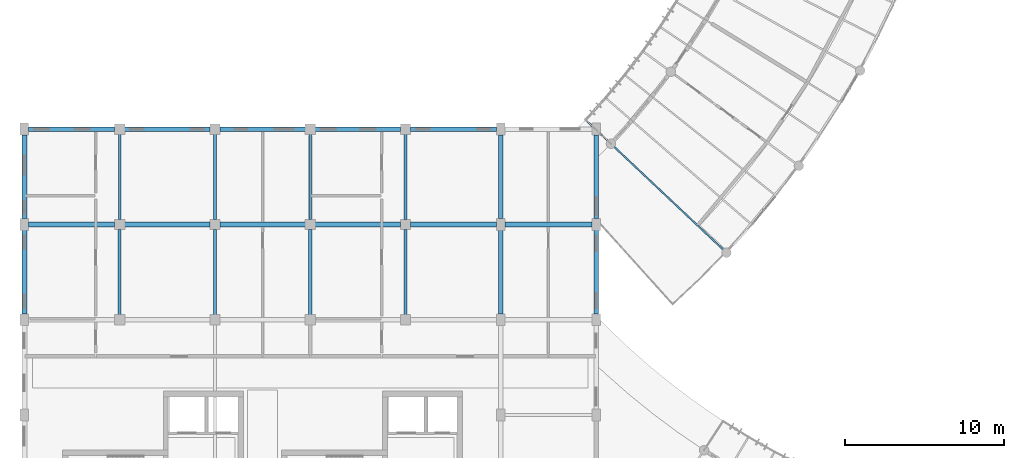
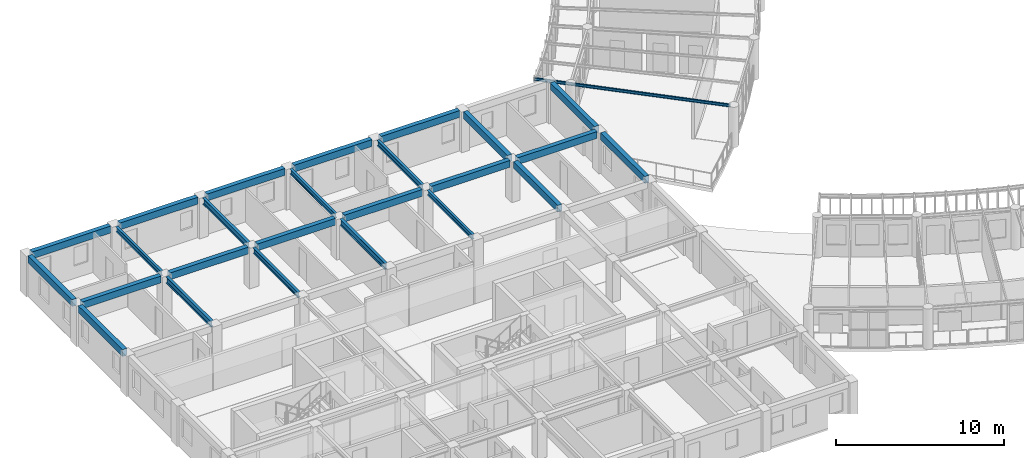
# One storey, part 10 of 100: 26 beams.
"""IFC4 building model written with IfcOpenShell, lengths in metres."""

from ifc_helpers import new_model, si_unit, direction, frame, origin, origin_2d, place, context, subcontext, project, spatial, rectangle, i_section, extrude, material, material_profile, profile_set, type_object, element, save


model = new_model("IFC4")

# Units and contexts
model_context = context("Model", 3, precision=1e-05, world=origin(), true_north=direction((0.0, 1.0)))
body_context = subcontext(model_context, "Body", "Model", "MODEL_VIEW")
ifc_project = project(units=[si_unit("LENGTHUNIT", "METRE"), si_unit("AREAUNIT", "SQUARE_METRE"), si_unit("VOLUMEUNIT", "CUBIC_METRE"), si_unit("PLANEANGLEUNIT", "RADIAN"), si_unit("MASSUNIT", "GRAM", prefix="KILO"), si_unit("POWERUNIT", "WATT"), si_unit("THERMODYNAMICTEMPERATUREUNIT", "KELVIN")], contexts=[model_context])

# Site, building, storey
site_placement = place(None, origin())
site = spatial("IfcSite", under=ifc_project, at=site_placement, CompositionType="ELEMENT")
building_placement = place(site_placement, origin())
building = spatial("IfcBuilding", under=site, at=building_placement, Name="Ruvembo Vaulted Housing Court", CompositionType="ELEMENT")
storey_placement = place(building_placement, frame((0.0, 0.0, 14.10009765625)))
storey = spatial("IfcBuildingStorey", under=building, at=storey_placement, Name="L04", CompositionType="ELEMENT", Elevation=14.10009765625)

# Beams
ifc_material_1 = material(Name="Steel S355J2", Category="steel")
ifc_material_profile_1 = material_profile(ifc_material_1, i_section(OverallWidth=0.10009765625, OverallDepth=0.199951171875, WebThickness=0.005615234375, FlangeThickness=0.008544921875, FilletRadius=0.011962890625, at=origin_2d()), Name="IPE 200")
ifc_profile_set_1 = profile_set([ifc_material_profile_1], Name="Steel S355J2")
beam_type_1 = type_object("IfcBeamType", Name="BM-ST-IPE200", PredefinedType="BEAM", material=ifc_profile_set_1)
beam_1_placement = place(storey_placement, frame((44.069580078125, 34.349609375, 2.83984375), z_axis=(-0.727716236316, 0.685878326967, 0.0), x_axis=(-0.685878326967, -0.727716236316, 0.0)))
element("IfcBeam", 1, at=beam_1_placement, inside=storey, type_object=beam_type_1, Name="Scoop SC1 L04 Radial Steel Joist 0", PredefinedType="BEAM", context=body_context, shape_type="SweptSolid", body=[
    extrude(i_section(OverallWidth=0.10009765625, OverallDepth=0.199951171875, WebThickness=0.005615234375, FlangeThickness=0.008544921875, FilletRadius=0.011962890625, at=origin_2d()), origin(), (0.0, 0.0, 1.0), 12.050048828125),
])
ifc_material_profile_2 = material_profile(ifc_material_1, i_section(OverallWidth=0.169921875, OverallDepth=0.360107421875, WebThickness=0.008056640625, FlangeThickness=0.0126953125, FilletRadius=0.01806640625, at=origin_2d()), Name="IPE 360")
ifc_profile_set_2 = profile_set([ifc_material_profile_2], Name="Steel S355J2")
beam_type_2 = type_object("IfcBeamType", Name="BM-ST-IPE360", PredefinedType="BEAM", material=ifc_profile_set_2)
for number, where, z_axis, x_axis, name in (
    (2, (6.0, 36.31005859375, 2.745849609375), (0.0, 1.0, 0.0), (-1.0, 0.0, 0.0), "L04 Grid Beam Y #2154"),
    (3, (18.0, 36.31005859375, 2.745849609375), (0.0, 1.0, 0.0), (-1.0, 0.0, 0.0), "L04 Grid Beam Y #2163"),
    (4, (24.0, 30.31005859375, 2.745849609375), (0.0, 1.0, 0.0), (-1.0, 0.0, 0.0), "L04 Grid Beam Y #2166"),
):
    element("IfcBeam", number, at=place(storey_placement, frame(where, z_axis=z_axis, x_axis=x_axis)), inside=storey, type_object=beam_type_2, Name=name, PredefinedType="BEAM", context=body_context, shape_type="SweptSolid", body=[
        extrude(i_section(OverallWidth=0.169921875, OverallDepth=0.360107421875, WebThickness=0.008056640625, FlangeThickness=0.0126953125, FilletRadius=0.01806640625, at=origin_2d()), origin(), (0.0, 0.0, 1.0), 5.3798828125),
    ])
ifc_material_profile_3 = material_profile(ifc_material_1, i_section(OverallWidth=0.179931640625, OverallDepth=0.39990234375, WebThickness=0.008544921875, FlangeThickness=0.013427734375, FilletRadius=0.02099609375, at=origin_2d()), Name="IPE 400")
ifc_profile_set_3 = profile_set([ifc_material_profile_3], Name="Steel S355J2")
beam_type_3 = type_object("IfcBeamType", Name="BM-ST-IPE400", PredefinedType="BEAM", material=ifc_profile_set_3)
for number, where, z_axis, x_axis, name in (
    (5, (12.0, 30.31005859375, 2.725830078125), (0.0, 1.0, 0.0), (-1.0, 0.0, 0.0), "L04 Grid Beam Y #2158"),
    (6, (24.0, 36.31005859375, 2.725830078125), (0.0, 1.0, 0.0), (-1.0, 0.0, 0.0), "L04 Grid Beam Y #2167"),
):
    element("IfcBeam", number, at=place(storey_placement, frame(where, z_axis=z_axis, x_axis=x_axis)), inside=storey, type_object=beam_type_3, Name=name, PredefinedType="BEAM", context=body_context, shape_type="SweptSolid", body=[
        extrude(i_section(OverallWidth=0.179931640625, OverallDepth=0.39990234375, WebThickness=0.008544921875, FlangeThickness=0.013427734375, FilletRadius=0.02099609375, at=origin_2d()), origin(), (0.0, 0.0, 1.0), 5.3798828125),
    ])
ifc_material_profile_4 = material_profile(ifc_material_1, i_section(OverallWidth=0.18994140625, OverallDepth=0.449951171875, WebThickness=0.009521484375, FlangeThickness=0.0146484375, FilletRadius=0.02099609375, at=origin_2d()), Name="IPE 450")
ifc_profile_set_4 = profile_set([ifc_material_profile_4], Name="Steel S355J2")
beam_type_4 = type_object("IfcBeamType", Name="BM-ST-IPE450", PredefinedType="BEAM", material=ifc_profile_set_4)
for number, where, z_axis, x_axis, name in (
    (7, (6.0, 30.31005859375, 2.700927734375), (0.0, 1.0, 0.0), (-1.0, 0.0, 0.0), "L04 Grid Beam Y #2153"),
    (8, (12.0, 36.31005859375, 2.700927734375), (0.0, 1.0, 0.0), (-1.0, 0.0, 0.0), "L04 Grid Beam Y #2159"),
    (9, (18.0, 30.31005859375, 2.700927734375), (0.0, 1.0, 0.0), (-1.0, 0.0, 0.0), "L04 Grid Beam Y #2162"),
):
    element("IfcBeam", number, at=place(storey_placement, frame(where, z_axis=z_axis, x_axis=x_axis)), inside=storey, type_object=beam_type_4, Name=name, PredefinedType="BEAM", context=body_context, shape_type="SweptSolid", body=[
        extrude(i_section(OverallWidth=0.18994140625, OverallDepth=0.449951171875, WebThickness=0.009521484375, FlangeThickness=0.0146484375, FilletRadius=0.02099609375, at=origin_2d()), origin(), (0.0, 0.0, 1.0), 5.3798828125),
    ])
ifc_material_2 = material(Name="Concrete C35/45", Category="concrete")
ifc_material_profile_5 = material_profile(ifc_material_2, rectangle(XDim=0.300048828125, YDim=0.5, at=origin_2d()), Name="RC 300x500")
ifc_profile_set_5 = profile_set([ifc_material_profile_5], Name="Concrete C35/45")
beam_type_5 = type_object("IfcBeamType", Name="SP-RC-300x500", PredefinedType="SPANDREL", material=ifc_profile_set_5)
beam_2_placement = place(storey_placement, frame((0.260009765625, 36.0, 2.699951171875), z_axis=(1.0, 0.0, 0.0), x_axis=(0.0, 1.0, 0.0)))
element("IfcBeam", 10, at=beam_2_placement, inside=storey, type_object=beam_type_5, Name="L04 Grid Beam X #2053", PredefinedType="SPANDREL", context=body_context, shape_type="SweptSolid", body=[
    extrude(rectangle(XDim=0.300048828125, YDim=0.5, at=origin_2d()), origin(), (0.0, 0.0, 1.0), 5.429931640625),
])
for number, where, z_axis, x_axis, name in (
    (11, (6.31005859375, 36.0, 2.699951171875), (1.0, 0.0, 0.0), (0.0, 1.0, 0.0), "L04 Grid Beam X #2054"),
    (12, (12.31005859375, 36.0, 2.699951171875), (1.0, 0.0, 0.0), (0.0, 1.0, 0.0), "L04 Grid Beam X #2055"),
    (13, (18.31005859375, 36.0, 2.699951171875), (1.0, 0.0, 0.0), (0.0, 1.0, 0.0), "L04 Grid Beam X #2056"),
):
    element("IfcBeam", number, at=place(storey_placement, frame(where, z_axis=z_axis, x_axis=x_axis)), inside=storey, type_object=beam_type_5, Name=name, PredefinedType="SPANDREL", context=body_context, shape_type="SweptSolid", body=[
        extrude(rectangle(XDim=0.300048828125, YDim=0.5, at=origin_2d()), origin(), (0.0, 0.0, 1.0), 5.3798828125),
    ])
beam_3_placement = place(storey_placement, frame((24.31005859375, 36.0, 2.699951171875), z_axis=(1.0, 0.0, 0.0), x_axis=(0.0, 1.0, 0.0)))
element("IfcBeam", 14, at=beam_3_placement, inside=storey, type_object=beam_type_5, Name="L04 Grid Beam X #2057", PredefinedType="SPANDREL", context=body_context, shape_type="SweptSolid", body=[
    extrude(rectangle(XDim=0.300048828125, YDim=0.5, at=origin_2d()), origin(), (0.0, 0.0, 1.0), 5.429931640625),
])
beam_4_placement = place(storey_placement, frame((30.260009765625, 36.0, 2.699951171875), z_axis=(1.0, 0.0, 0.0), x_axis=(0.0, 1.0, 0.0)))
element("IfcBeam", 15, at=beam_4_placement, inside=storey, type_object=beam_type_5, Name="L04 Grid Beam X #2058", PredefinedType="SPANDREL", context=body_context, shape_type="SweptSolid", body=[
    extrude(rectangle(XDim=0.300048828125, YDim=0.5, at=origin_2d()), origin(), (0.0, 0.0, 1.0), 5.47998046875),
])
beam_5_placement = place(storey_placement, frame((0.260009765625, 42.0, 2.699951171875), z_axis=(1.0, 0.0, 0.0), x_axis=(0.0, 1.0, 0.0)))
element("IfcBeam", 16, at=beam_5_placement, inside=storey, type_object=beam_type_5, Name="L04 Grid Beam X #2065", PredefinedType="SPANDREL", context=body_context, shape_type="SweptSolid", body=[
    extrude(rectangle(XDim=0.300048828125, YDim=0.5, at=origin_2d()), origin(), (0.0, 0.0, 1.0), 5.429931640625),
])
for number, where, z_axis, x_axis, name in (
    (17, (6.31005859375, 42.0, 2.699951171875), (1.0, 0.0, 0.0), (0.0, 1.0, 0.0), "L04 Grid Beam X #2066"),
    (18, (12.31005859375, 42.0, 2.699951171875), (1.0, 0.0, 0.0), (0.0, 1.0, 0.0), "L04 Grid Beam X #2067"),
    (19, (18.31005859375, 42.0, 2.699951171875), (1.0, 0.0, 0.0), (0.0, 1.0, 0.0), "L04 Grid Beam X #2068"),
):
    element("IfcBeam", number, at=place(storey_placement, frame(where, z_axis=z_axis, x_axis=x_axis)), inside=storey, type_object=beam_type_5, Name=name, PredefinedType="SPANDREL", context=body_context, shape_type="SweptSolid", body=[
        extrude(rectangle(XDim=0.300048828125, YDim=0.5, at=origin_2d()), origin(), (0.0, 0.0, 1.0), 5.3798828125),
    ])
beam_6_placement = place(storey_placement, frame((24.31005859375, 42.0, 2.699951171875), z_axis=(1.0, 0.0, 0.0), x_axis=(0.0, 1.0, 0.0)))
element("IfcBeam", 20, at=beam_6_placement, inside=storey, type_object=beam_type_5, Name="L04 Grid Beam X #2069", PredefinedType="SPANDREL", context=body_context, shape_type="SweptSolid", body=[
    extrude(rectangle(XDim=0.300048828125, YDim=0.5, at=origin_2d()), origin(), (0.0, 0.0, 1.0), 5.429931640625),
])
for number, where, z_axis, x_axis, name in (
    (21, (0.0, 30.360107421875, 2.699951171875), (0.0, 1.0, 0.0), (-1.0, 0.0, 0.0), "L04 Grid Beam Y #2149"),
    (22, (0.0, 36.360107421875, 2.699951171875), (0.0, 1.0, 0.0), (-1.0, 0.0, 0.0), "L04 Grid Beam Y #2150"),
    (23, (30.0, 30.360107421875, 2.699951171875), (0.0, 1.0, 0.0), (-1.0, 0.0, 0.0), "L04 Grid Beam Y #2172"),
    (24, (30.0, 36.360107421875, 2.699951171875), (0.0, 1.0, 0.0), (-1.0, 0.0, 0.0), "L04 Grid Beam Y #2173"),
    (25, (36.0, 30.360107421875, 2.699951171875), (0.0, 1.0, 0.0), (-1.0, 0.0, 0.0), "L04 Grid Beam Y #2178"),
    (26, (36.0, 36.360107421875, 2.699951171875), (0.0, 1.0, 0.0), (-1.0, 0.0, 0.0), "L04 Grid Beam Y #2179"),
):
    element("IfcBeam", number, at=place(storey_placement, frame(where, z_axis=z_axis, x_axis=x_axis)), inside=storey, type_object=beam_type_5, Name=name, PredefinedType="SPANDREL", context=body_context, shape_type="SweptSolid", body=[
        extrude(rectangle(XDim=0.300048828125, YDim=0.5, at=origin_2d()), origin(), (0.0, 0.0, 1.0), 5.27978515625),
    ])

save(model, "model.ifc")
